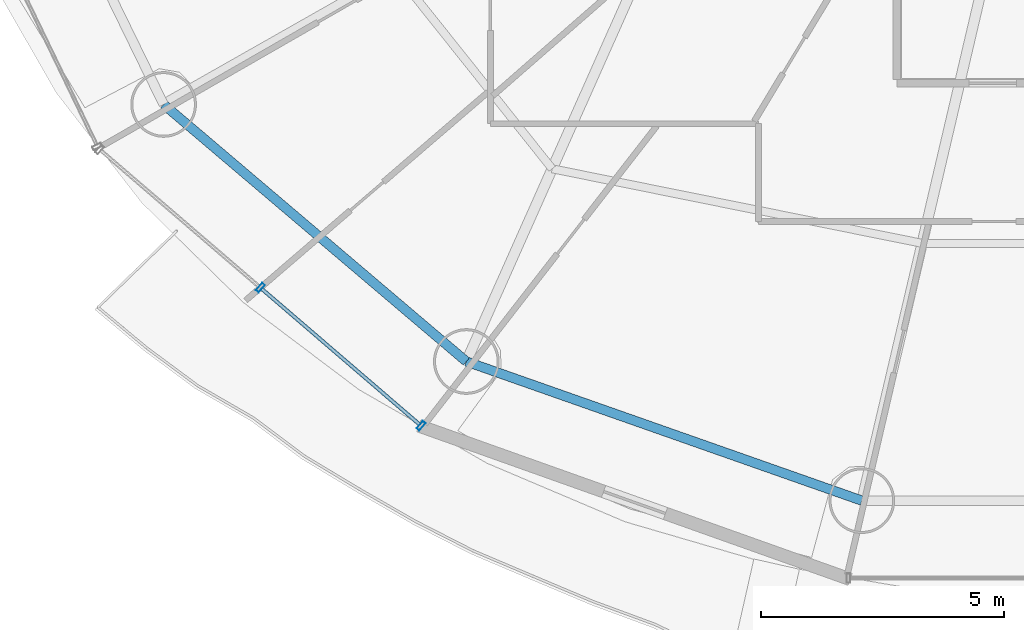
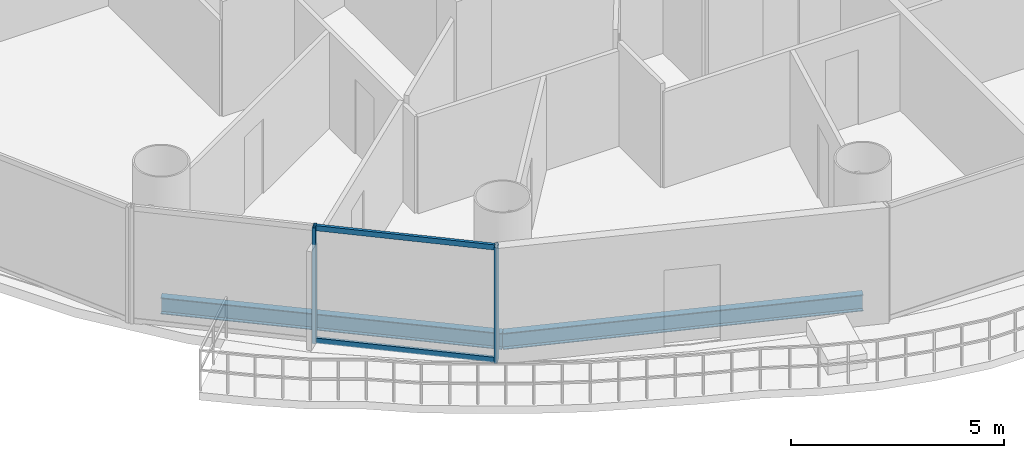
# One storey, part 2 of 27: 4 members, 2 beams, 1 element without a shape of its own.
"""IFC4 building model written with IfcOpenShell, lengths in metres."""

from ifc_helpers import new_model, si_unit, direction, frame, origin, origin_2d, place, context, subcontext, project, spatial, hollow_rectangle, i_section, extrude, source, transform, mapped, material, material_profile, profile_set, type_object, element, aggregate, save


model = new_model("IFC4")

# Units and contexts
model_context = context("Model", 3, precision=1e-05, world=origin(), true_north=direction((-0.2419218956, 0.970295726276)))
body_context = subcontext(model_context, "Body", "Model", "MODEL_VIEW")
ifc_project = project(units=[si_unit("LENGTHUNIT", "METRE"), si_unit("AREAUNIT", "SQUARE_METRE"), si_unit("VOLUMEUNIT", "CUBIC_METRE"), si_unit("PLANEANGLEUNIT", "RADIAN"), si_unit("MASSUNIT", "GRAM", prefix="KILO")], contexts=[model_context])

# Site, building, storey
site_placement = place(None, origin())
site = spatial("IfcSite", under=ifc_project, at=site_placement, CompositionType="ELEMENT")
building_placement = place(site_placement, origin())
building = spatial("IfcBuilding", under=site, at=building_placement, Name="Cobrevalo Terracotta Tower", CompositionType="ELEMENT")
storey_placement = place(building_placement, frame((0.0, 0.0, 160.60009765625)))
storey = spatial("IfcBuildingStorey", under=building, at=storey_placement, Name="L42", CompositionType="ELEMENT", Elevation=160.60009765625)

# Beams
ifc_material_1 = material(Name="Steel S355", Category="steel")
ifc_material_profile_1 = material_profile(ifc_material_1, i_section(OverallWidth=0.194091796875, OverallDepth=0.468994140625, WebThickness=0.011474609375, FlangeThickness=0.0205078125, at=origin_2d()), Name="W 460x106")
ifc_profile_set_1 = profile_set([ifc_material_profile_1], Name="Steel S355")
beam_type = type_object("IfcBeamType", Name="Structural Spandrel W 460x106 (Steel S355)", PredefinedType="SPANDREL", material=ifc_profile_set_1)
beam_1_placement = place(storey_placement, frame((19.250244140625, 16.160888671875, -0.504638671875), z_axis=(0.762240337798, -0.647294112003, 0.0), x_axis=(0.647294112003, 0.762240337798, 0.0)))
element("IfcBeam", 1, at=beam_1_placement, inside=storey, type_object=beam_type, Name="L42 perimeter ring spandrel 10", PredefinedType="SPANDREL", context=body_context, shape_type="SweptSolid", body=[
    extrude(i_section(OverallWidth=0.194091796875, OverallDepth=0.468994140625, WebThickness=0.011474609375, FlangeThickness=0.0205078125, at=origin_2d()), origin(), (0.0, 0.0, 1.0), 8.162353515625),
])
beam_2_placement = place(storey_placement, frame((25.471923828125, 10.87744140625, -0.504638671875), z_axis=(0.943341298492, -0.331824041565, 0.0), x_axis=(0.331824041565, 0.943341298492, 0.0)))
element("IfcBeam", 2, at=beam_2_placement, inside=storey, type_object=beam_type, Name="L42 perimeter ring spandrel 11", PredefinedType="SPANDREL", context=body_context, shape_type="SweptSolid", body=[
    extrude(i_section(OverallWidth=0.194091796875, OverallDepth=0.468994140625, WebThickness=0.011474609375, FlangeThickness=0.0205078125, at=origin_2d()), origin(), (0.0, 0.0, 1.0), 8.6171875),
])

# Curtain wall, members
ifc_material_2 = material(Name="Anodized aluminium", Category="aluminium")
curtain_wall_type = type_object("IfcCurtainWallType", Name="Mid-tower high-wind unitised curtain wall CW-U2", PredefinedType="NOTDEFINED", material=ifc_material_2)
curtain_wall_placement = place(storey_placement, origin())
curtain_wall = element("IfcCurtainWall", 3, at=curtain_wall_placement, inside=storey, type_object=curtain_wall_type, Name="L42 curtain wall CW-L42-S10", PredefinedType="NOTDEFINED")
ifc_material_profile_2 = material_profile(ifc_material_2, hollow_rectangle(XDim=0.074951171875, YDim=0.14990234375, WallThickness=0.00439453125, at=origin_2d()), Name="CWT 75x150")
ifc_profile_set_2 = profile_set([ifc_material_profile_2], Name="Anodized aluminium")
member_type_1 = type_object("IfcMemberType", Name="Tower unitised aluminium transom 75x150", PredefinedType="USERDEFINED", material=ifc_profile_set_2)
shared_shape_1 = source(origin(), body_context, "Body", "SweptSolid", [
    extrude(hollow_rectangle(XDim=0.074951171875, YDim=0.14990234375, WallThickness=0.00439453125, at=origin_2d()), origin(), (0.0, 0.0, 1.0), 4.276123046875),
])
member_1_placement = place(storey_placement, frame((21.26806640625, 12.36962890625, 0.0498046875), z_axis=(0.758417719247, -0.651768795764, 0.0), x_axis=(0.651768795764, 0.758417719247, 0.0)))
member_1 = element("IfcMember", 4, at=member_1_placement, type_object=member_type_1, Name="CW-L42-S10 transom B02-T1", ObjectType="TRANSOM", PredefinedType="USERDEFINED", context=body_context, shape_type="MappedRepresentation", body=[
    mapped(shared_shape_1, transform((0.0, 0.0, 0.0), scale=1.0)),
])
member_2_placement = place(storey_placement, frame((21.26806640625, 12.36962890625, 3.27978515625), z_axis=(0.758417719247, -0.651768795764, 0.0), x_axis=(0.651768795764, 0.758417719247, 0.0)))
member_2 = element("IfcMember", 5, at=member_2_placement, type_object=member_type_1, Name="CW-L42-S10 transom B02-T2", ObjectType="TRANSOM", PredefinedType="USERDEFINED", context=body_context, shape_type="MappedRepresentation", body=[
    mapped(shared_shape_1, transform((0.0, 0.0, 0.0), scale=1.0)),
])
ifc_material_profile_3 = material_profile(ifc_material_2, hollow_rectangle(XDim=0.074951171875, YDim=0.199951171875, WallThickness=0.0048828125, at=origin_2d()), Name="CWM 75x200")
ifc_profile_set_3 = profile_set([ifc_material_profile_3], Name="Anodized aluminium")
member_type_2 = type_object("IfcMemberType", Name="Lower/mid tower unitised mullion 75x200", PredefinedType="MULLION", material=ifc_profile_set_3)
shared_shape_2 = source(origin(), body_context, "Body", "SweptSolid", [
    extrude(hollow_rectangle(XDim=0.074951171875, YDim=0.199951171875, WallThickness=0.0048828125, at=origin_2d()), origin(), (0.0, 0.0, 1.0), 3.329833984375),
])
member_3_placement = place(storey_placement, frame((21.237548828125, 12.3955078125, 0.0), z_axis=(0.0, 0.0, 1.0), x_axis=(0.758441546142, -0.65174106905, 0.0)))
member_3 = element("IfcMember", 6, at=member_3_placement, type_object=member_type_2, Name="CW-L42-S10 vertical mullion 02", PredefinedType="MULLION", context=body_context, shape_type="MappedRepresentation", body=[
    mapped(shared_shape_2, transform((0.0, 0.0, 0.0), scale=1.0)),
])
member_4_placement = place(storey_placement, frame((24.54150390625, 9.556396484375, 0.0), z_axis=(0.0, 0.0, 1.0), x_axis=(0.758441546142, -0.65174106905, 0.0)))
member_4 = element("IfcMember", 7, at=member_4_placement, type_object=member_type_2, Name="CW-L42-S10 vertical mullion 03", PredefinedType="MULLION", context=body_context, shape_type="MappedRepresentation", body=[
    mapped(shared_shape_2, transform((0.0, 0.0, 0.0), scale=1.0)),
])
aggregate(curtain_wall, [member_3, member_4, member_1, member_2])

save(model, "model.ifc")
